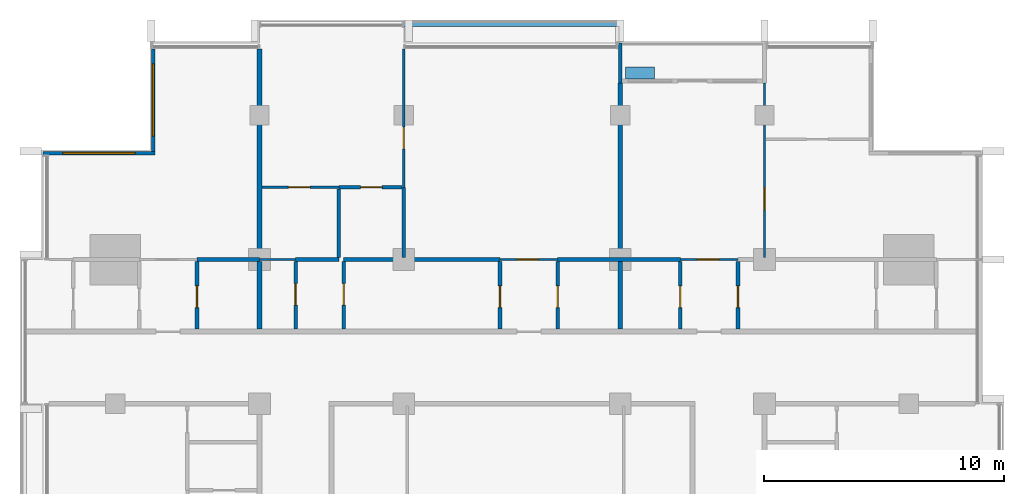
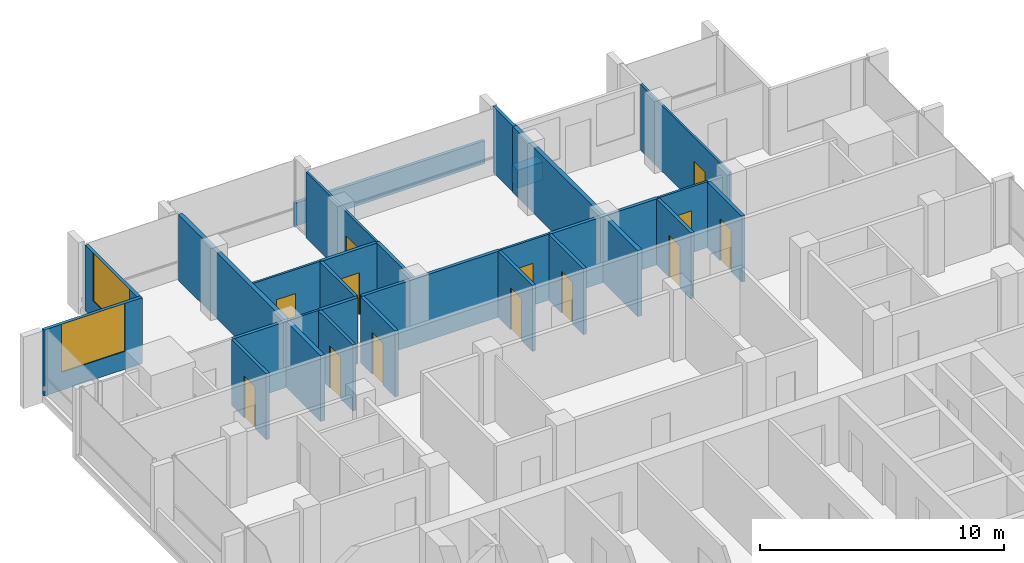
# One storey, part 10 of 16: 29 walls, 13 doors, 2 windows, 15 openings.
"""IFC4 building model written with IfcOpenShell, lengths in metres."""

from ifc_helpers import new_model, si_unit, direction, frame, frame_2d, origin, place, context, subcontext, project, spatial, rectangle, extrude, material, layer, layer_set, type_object, element, fill, save


model = new_model("IFC4")

# Units and contexts
model_context = context("Model", 3, precision=1e-05, world=origin(), true_north=direction((0.0, 1.0)))
body_context = subcontext(model_context, "Body", "Model", "MODEL_VIEW")
ifc_project = project(units=[si_unit("LENGTHUNIT", "METRE"), si_unit("AREAUNIT", "SQUARE_METRE"), si_unit("VOLUMEUNIT", "CUBIC_METRE"), si_unit("PLANEANGLEUNIT", "RADIAN"), si_unit("MASSUNIT", "GRAM", prefix="KILO")], contexts=[model_context])

# Site, building, storey
site_placement = place(None, origin())
site = spatial("IfcSite", under=ifc_project, at=site_placement, CompositionType="ELEMENT")
building_placement = place(site_placement, origin())
building = spatial("IfcBuilding", under=site, at=building_placement, Name="Finial Court Residences", CompositionType="ELEMENT")
storey_placement = place(building_placement, frame((0.0, 0.0, 219.5)))
storey = spatial("IfcBuildingStorey", under=building, at=storey_placement, Name="L55", CompositionType="ELEMENT", Elevation=219.5)

# Walls
ifc_material_1 = material(Name="Gypsum board")
ifc_layer_1 = layer(ifc_material_1, 0.02490234375)
ifc_material_2 = material(Name="Acoustic mineral wool in double frame")
ifc_layer_2 = layer(ifc_material_2, 0.14990234375)
ifc_layer_3 = layer(ifc_material_1, 0.02490234375)
ifc_layer_set_1 = layer_set([ifc_layer_1, ifc_layer_2, ifc_layer_3], Name="Acoustic party wall 200, 1 hour")
wall_type_1 = type_object("IfcWallType", Name="Acoustic party wall 200, 1 hour", PredefinedType="PARTITIONING", material=ifc_layer_set_1)
wall_1_placement = place(storey_placement, frame((-10.5, 4.60009765625, 0.0), z_axis=(0.0, 0.0, 1.0), x_axis=(0.0, 1.0, 0.0)))
element("IfcWall", 1, at=wall_1_placement, inside=storey, type_object=wall_type_1, Name="Partition L55-039", PredefinedType="PARTITIONING", context=body_context, shape_type="SweptSolid", body=[
    extrude(rectangle(XDim=2.824951171875, YDim=0.199951171875, at=frame_2d((1.41259765625, 0.0))), origin(), (0.0, 0.0, 1.0), 3.300048828125),
])
wall_2_placement = place(storey_placement, frame((-10.5, 7.574951171875, 0.0), z_axis=(0.0, 0.0, 1.0), x_axis=(0.0, 1.0, 0.0)))
element("IfcWall", 2, at=wall_2_placement, inside=storey, type_object=wall_type_1, Name="Partition L55-040", PredefinedType="PARTITIONING", context=body_context, shape_type="SweptSolid", body=[
    extrude(rectangle(XDim=8.6875, YDim=0.199951171875, at=frame_2d((4.34375, 0.0))), origin(), (0.0, 0.0, 1.0), 3.300048828125),
])
wall_3_placement = place(storey_placement, frame((4.5, 4.60009765625, 0.0), z_axis=(0.0, 0.0, 1.0), x_axis=(0.0, 1.0, 0.0)))
element("IfcWall", 3, at=wall_3_placement, inside=storey, type_object=wall_type_1, Name="Partition L55-050", PredefinedType="PARTITIONING", context=body_context, shape_type="SweptSolid", body=[
    extrude(rectangle(XDim=2.824951171875, YDim=0.199951171875, at=frame_2d((1.41259765625, 0.0))), origin(), (0.0, 0.0, 1.0), 3.300048828125),
])
wall_4_placement = place(storey_placement, frame((4.5, 7.574951171875, 0.0), z_axis=(0.0, 0.0, 1.0), x_axis=(0.0, 1.0, 0.0)))
element("IfcWall", 4, at=wall_4_placement, inside=storey, type_object=wall_type_1, Name="Partition L55-051", PredefinedType="PARTITIONING", context=body_context, shape_type="SweptSolid", body=[
    extrude(rectangle(XDim=7.275146484375, YDim=0.199951171875, at=frame_2d((3.6376953125, 0.0))), origin(), (0.0, 0.0, 1.0), 3.300048828125),
])
ifc_layer_4 = layer(ifc_material_1, 0.012451171875)
ifc_material_3 = material(Name="Mineral wool in light-gauge frame")
ifc_layer_5 = layer(ifc_material_3, 0.074951171875)
ifc_layer_6 = layer(ifc_material_1, 0.012451171875)
ifc_layer_set_2 = layer_set([ifc_layer_4, ifc_layer_5, ifc_layer_6], Name="Gypsum board partition 100")
wall_type_2 = type_object("IfcWallType", Name="Gypsum board partition 100", PredefinedType="PARTITIONING", material=ifc_layer_set_2)
wall_5_placement = place(storey_placement, frame((-10.5, 7.5, 0.0), z_axis=(0.0, 0.0, 1.0), x_axis=(1.0, 0.0, 0.0)))
element("IfcWall", 5, at=wall_5_placement, inside=storey, type_object=wall_type_2, Name="Partition L55-019", PredefinedType="PARTITIONING", context=body_context, shape_type="SweptSolid", body=[
    extrude(rectangle(XDim=1.5, YDim=0.10009765625, at=frame_2d((0.75, 0.0))), origin(), (0.0, 0.0, 1.0), 3.300048828125),
])

# Wall, opening, door
wall_6_placement = place(storey_placement, frame((-0.5, 7.5, 0.0), z_axis=(0.0, 0.0, 1.0), x_axis=(1.0, 0.0, 0.0)))
wall_6 = element("IfcWall", 6, at=wall_6_placement, inside=storey, type_object=wall_type_2, Name="Partition L55-020", PredefinedType="PARTITIONING", context=body_context, shape_type="SweptSolid", body=[
    extrude(rectangle(XDim=2.39990234375, YDim=0.10009765625, at=frame_2d((1.199951171875, 0.0))), origin(), (0.0, 0.0, 1.0), 3.300048828125),
])
opening_1_placement = place(wall_6_placement, frame((0.699951171875, 0.0, 0.0)))
opening_1 = element("IfcOpeningElement", 7, at=opening_1_placement, cuts=wall_6, Name="Opening L55-D020", PredefinedType="OPENING", context=body_context, shape_type="SweptSolid", body=[
    extrude(rectangle(XDim=0.89990234375, YDim=2.10009765625, at=frame_2d((0.449951171875, 1.050048828125))), frame((0.0, 0.06005859375, 0.0), z_axis=(0.0, -1.0, 0.0), x_axis=(1.0, 0.0, 0.0)), (0.0, 0.0, 1.0), 0.1201171875),
])
ifc_material_4 = material(Name="Timber door leaf in timber frame", Category="wood")
door_type = type_object("IfcDoorType", Name="Door set 900 x 2100", OperationType="SINGLE_SWING_LEFT", PredefinedType="DOOR", material=ifc_material_4)
door_1_placement = place(opening_1_placement, origin())
door_1 = element("IfcDoor", 8, at=door_1_placement, inside=storey, type_object=door_type, Name="Door L55-D020", OperationType="SINGLE_SWING_LEFT", OverallHeight=2.10009765625, OverallWidth=0.89990234375, PredefinedType="DOOR", context=body_context, shape_type="SweptSolid", body=[
    extrude(rectangle(XDim=0.89990234375, YDim=2.10009765625, at=frame_2d((0.449951171875, 1.050048828125))), frame((0.0, 0.02490234375, 0.0), z_axis=(0.0, -1.0, 0.0), x_axis=(1.0, 0.0, 0.0)), (0.0, 0.0, 1.0), 0.050048828125),
])
fill(opening_1, door_1)

wall_7_placement = place(storey_placement, frame((7.0, 7.5, 0.0), z_axis=(0.0, 0.0, 1.0), x_axis=(1.0, 0.0, 0.0)))
wall_7 = element("IfcWall", 9, at=wall_7_placement, inside=storey, type_object=wall_type_2, Name="Partition L55-021", PredefinedType="PARTITIONING", context=body_context, shape_type="SweptSolid", body=[
    extrude(rectangle(XDim=2.39990234375, YDim=0.10009765625, at=frame_2d((1.199951171875, 0.0))), origin(), (0.0, 0.0, 1.0), 3.300048828125),
])
opening_2_placement = place(wall_7_placement, frame((0.699951171875, 0.0, 0.0)))
opening_2 = element("IfcOpeningElement", 10, at=opening_2_placement, cuts=wall_7, Name="Opening L55-D021", PredefinedType="OPENING", context=body_context, shape_type="SweptSolid", body=[
    extrude(rectangle(XDim=0.89990234375, YDim=2.10009765625, at=frame_2d((0.449951171875, 1.050048828125))), frame((0.0, 0.06005859375, 0.0), z_axis=(0.0, -1.0, 0.0), x_axis=(1.0, 0.0, 0.0)), (0.0, 0.0, 1.0), 0.1201171875),
])
door_2_placement = place(opening_2_placement, origin())
door_2 = element("IfcDoor", 11, at=door_2_placement, inside=storey, type_object=door_type, Name="Door L55-D021", OperationType="SINGLE_SWING_LEFT", OverallHeight=2.10009765625, OverallWidth=0.89990234375, PredefinedType="DOOR", context=body_context, shape_type="SweptSolid", body=[
    extrude(rectangle(XDim=0.89990234375, YDim=2.10009765625, at=frame_2d((0.449951171875, 1.050048828125))), frame((0.0, 0.02490234375, 0.0), z_axis=(0.0, -1.0, 0.0), x_axis=(1.0, 0.0, 0.0)), (0.0, 0.0, 1.0), 0.050048828125),
])
fill(opening_2, door_2)

wall_8_placement = place(storey_placement, frame((-10.39990234375, 10.5, 0.0), z_axis=(0.0, 0.0, 1.0), x_axis=(1.0, 0.0, 0.0)))
wall_8 = element("IfcWall", 12, at=wall_8_placement, inside=storey, type_object=wall_type_2, Name="Partition L55-029", PredefinedType="PARTITIONING", context=body_context, shape_type="SweptSolid", body=[
    extrude(rectangle(XDim=3.199951171875, YDim=0.10009765625, at=frame_2d((1.60009765625, 0.0))), origin(), (0.0, 0.0, 1.0), 3.300048828125),
])
opening_3_placement = place(wall_8_placement, frame((1.10009765625, 0.0, 0.0)))
opening_3 = element("IfcOpeningElement", 13, at=opening_3_placement, cuts=wall_8, Name="Opening L55-D022", PredefinedType="OPENING", context=body_context, shape_type="SweptSolid", body=[
    extrude(rectangle(XDim=0.89990234375, YDim=2.10009765625, at=frame_2d((0.449951171875, 1.050048828125))), frame((0.0, 0.06005859375, 0.0), z_axis=(0.0, -1.0, 0.0), x_axis=(1.0, 0.0, 0.0)), (0.0, 0.0, 1.0), 0.1201171875),
])
door_3_placement = place(opening_3_placement, origin())
door_3 = element("IfcDoor", 14, at=door_3_placement, inside=storey, type_object=door_type, Name="Door L55-D022", OperationType="SINGLE_SWING_LEFT", OverallHeight=2.10009765625, OverallWidth=0.89990234375, PredefinedType="DOOR", context=body_context, shape_type="SweptSolid", body=[
    extrude(rectangle(XDim=0.89990234375, YDim=2.10009765625, at=frame_2d((0.449951171875, 1.050048828125))), frame((0.0, 0.02490234375, 0.0), z_axis=(0.0, -1.0, 0.0), x_axis=(1.0, 0.0, 0.0)), (0.0, 0.0, 1.0), 0.050048828125),
])
fill(opening_3, door_3)

wall_9_placement = place(storey_placement, frame((-4.5, 10.5, 0.0), z_axis=(0.0, 0.0, 1.0), x_axis=(0.0, 1.0, 0.0)))
wall_9 = element("IfcWall", 15, at=wall_9_placement, inside=storey, type_object=wall_type_2, Name="Partition L55-045", PredefinedType="PARTITIONING", context=body_context, shape_type="SweptSolid", body=[
    extrude(rectangle(XDim=5.762451171875, YDim=0.10009765625, at=frame_2d((2.88134765625, 0.0))), origin(), (0.0, 0.0, 1.0), 3.300048828125),
])
opening_4_placement = place(wall_9_placement, frame((1.60009765625, 0.0, 0.0)))
opening_4 = element("IfcOpeningElement", 16, at=opening_4_placement, cuts=wall_9, Name="Opening L55-D032", PredefinedType="OPENING", context=body_context, shape_type="SweptSolid", body=[
    extrude(rectangle(XDim=0.89990234375, YDim=2.10009765625, at=frame_2d((0.449951171875, 1.050048828125))), frame((0.0, 0.06005859375, 0.0), z_axis=(0.0, -1.0, 0.0), x_axis=(1.0, 0.0, 0.0)), (0.0, 0.0, 1.0), 0.1201171875),
])
door_4_placement = place(opening_4_placement, origin())
door_4 = element("IfcDoor", 17, at=door_4_placement, inside=storey, type_object=door_type, Name="Door L55-D032", OperationType="SINGLE_SWING_RIGHT", OverallHeight=2.10009765625, OverallWidth=0.89990234375, PredefinedType="DOOR", context=body_context, shape_type="SweptSolid", body=[
    extrude(rectangle(XDim=0.89990234375, YDim=2.10009765625, at=frame_2d((0.449951171875, 1.050048828125))), frame((0.0, 0.02490234375, 0.0), z_axis=(0.0, -1.0, 0.0), x_axis=(1.0, 0.0, 0.0)), (0.0, 0.0, 1.0), 0.050048828125),
])
fill(opening_4, door_4)

wall_10_placement = place(storey_placement, frame((10.5, 7.574951171875, 0.0), z_axis=(0.0, 0.0, 1.0), x_axis=(0.0, 1.0, 0.0)))
wall_10 = element("IfcWall", 18, at=wall_10_placement, inside=storey, type_object=wall_type_2, Name="Partition L55-057", PredefinedType="PARTITIONING", context=body_context, shape_type="SweptSolid", body=[
    extrude(rectangle(XDim=7.275146484375, YDim=0.10009765625, at=frame_2d((3.6376953125, 0.0))), origin(), (0.0, 0.0, 1.0), 3.300048828125),
])
opening_5_placement = place(wall_10_placement, frame((2.0, 0.0, 0.0)))
opening_5 = element("IfcOpeningElement", 19, at=opening_5_placement, cuts=wall_10, Name="Opening L55-D037", PredefinedType="OPENING", context=body_context, shape_type="SweptSolid", body=[
    extrude(rectangle(XDim=0.89990234375, YDim=2.10009765625, at=frame_2d((0.449951171875, 1.050048828125))), frame((0.0, 0.06005859375, 0.0), z_axis=(0.0, -1.0, 0.0), x_axis=(1.0, 0.0, 0.0)), (0.0, 0.0, 1.0), 0.1201171875),
])
door_5_placement = place(opening_5_placement, origin())
door_5 = element("IfcDoor", 20, at=door_5_placement, inside=storey, type_object=door_type, Name="Door L55-D037", OperationType="SINGLE_SWING_LEFT", OverallHeight=2.10009765625, OverallWidth=0.89990234375, PredefinedType="DOOR", context=body_context, shape_type="SweptSolid", body=[
    extrude(rectangle(XDim=0.89990234375, YDim=2.10009765625, at=frame_2d((0.449951171875, 1.050048828125))), frame((0.0, 0.02490234375, 0.0), z_axis=(0.0, -1.0, 0.0), x_axis=(1.0, 0.0, 0.0)), (0.0, 0.0, 1.0), 0.050048828125),
])
fill(opening_5, door_5)

# Walls
ifc_material_5 = material(Name="Moisture-resistant gypsum board")
ifc_layer_7 = layer(ifc_material_5, 0.012451171875)
ifc_layer_8 = layer(ifc_material_3, 0.125)
ifc_layer_9 = layer(ifc_material_5, 0.012451171875)
ifc_layer_set_3 = layer_set([ifc_layer_7, ifc_layer_8, ifc_layer_9], Name="Gypsum board wet-area partition 150")
wall_type_3 = type_object("IfcWallType", Name="Gypsum board wet-area partition 150", PredefinedType="PARTITIONING", material=ifc_layer_set_3)
wall_11_placement = place(storey_placement, frame((-13.10009765625, 7.5, 0.0), z_axis=(0.0, 0.0, 1.0), x_axis=(1.0, 0.0, 0.0)))
element("IfcWall", 21, at=wall_11_placement, inside=storey, type_object=wall_type_3, Name="Partition L55-024", PredefinedType="PARTITIONING", context=body_context, shape_type="SweptSolid", body=[
    extrude(rectangle(XDim=2.60009765625, YDim=0.14990234375, at=frame_2d((1.300048828125, 0.0))), origin(), (0.0, 0.0, 1.0), 3.300048828125),
])
wall_12_placement = place(storey_placement, frame((-9.0, 7.5, 0.0), z_axis=(0.0, 0.0, 1.0), x_axis=(1.0, 0.0, 0.0)))
element("IfcWall", 22, at=wall_12_placement, inside=storey, type_object=wall_type_3, Name="Partition L55-025", PredefinedType="PARTITIONING", context=body_context, shape_type="SweptSolid", body=[
    extrude(rectangle(XDim=1.800048828125, YDim=0.14990234375, at=frame_2d((0.89990234375, 0.0))), origin(), (0.0, 0.0, 1.0), 3.300048828125),
])
wall_13_placement = place(storey_placement, frame((-7.0, 7.5, 0.0), z_axis=(0.0, 0.0, 1.0), x_axis=(1.0, 0.0, 0.0)))
element("IfcWall", 23, at=wall_13_placement, inside=storey, type_object=wall_type_3, Name="Partition L55-026", PredefinedType="PARTITIONING", context=body_context, shape_type="SweptSolid", body=[
    extrude(rectangle(XDim=6.5, YDim=0.14990234375, at=frame_2d((3.25, 0.0))), origin(), (0.0, 0.0, 1.0), 3.300048828125),
])
wall_14_placement = place(storey_placement, frame((1.89990234375, 7.5, 0.0), z_axis=(0.0, 0.0, 1.0), x_axis=(1.0, 0.0, 0.0)))
element("IfcWall", 24, at=wall_14_placement, inside=storey, type_object=wall_type_3, Name="Partition L55-027", PredefinedType="PARTITIONING", context=body_context, shape_type="SweptSolid", body=[
    extrude(rectangle(XDim=5.10009765625, YDim=0.14990234375, at=frame_2d((2.550048828125, 0.0))), origin(), (0.0, 0.0, 1.0), 3.300048828125),
])

# Wall, opening, door
wall_15_placement = place(storey_placement, frame((-7.199951171875, 10.5, 0.0), z_axis=(0.0, 0.0, 1.0), x_axis=(1.0, 0.0, 0.0)))
wall_15 = element("IfcWall", 25, at=wall_15_placement, inside=storey, type_object=wall_type_3, Name="Partition L55-030", PredefinedType="PARTITIONING", context=body_context, shape_type="SweptSolid", body=[
    extrude(rectangle(XDim=2.625, YDim=0.14990234375, at=frame_2d((1.3125, 0.0))), origin(), (0.0, 0.0, 1.0), 3.300048828125),
])
opening_6_placement = place(wall_15_placement, frame((0.89990234375, 0.0, 0.0)))
opening_6 = element("IfcOpeningElement", 26, at=opening_6_placement, cuts=wall_15, Name="Opening L55-D023", PredefinedType="OPENING", context=body_context, shape_type="SweptSolid", body=[
    extrude(rectangle(XDim=0.89990234375, YDim=2.10009765625, at=frame_2d((0.449951171875, 1.050048828125))), frame((0.0, 0.0849609375, 0.0), z_axis=(0.0, -1.0, 0.0), x_axis=(1.0, 0.0, 0.0)), (0.0, 0.0, 1.0), 0.169921875),
])
door_6_placement = place(opening_6_placement, origin())
door_6 = element("IfcDoor", 27, at=door_6_placement, inside=storey, type_object=door_type, Name="Door L55-D023", OperationType="SINGLE_SWING_LEFT", OverallHeight=2.10009765625, OverallWidth=0.89990234375, PredefinedType="DOOR", context=body_context, shape_type="SweptSolid", body=[
    extrude(rectangle(XDim=0.89990234375, YDim=2.10009765625, at=frame_2d((0.449951171875, 1.050048828125))), frame((0.0, 0.02490234375, 0.0), z_axis=(0.0, -1.0, 0.0), x_axis=(1.0, 0.0, 0.0)), (0.0, 0.0, 1.0), 0.050048828125),
])
fill(opening_6, door_6)

wall_16_placement = place(storey_placement, frame((-13.10009765625, 4.60009765625, 0.0), z_axis=(0.0, 0.0, 1.0), x_axis=(0.0, 1.0, 0.0)))
wall_16 = element("IfcWall", 28, at=wall_16_placement, inside=storey, type_object=wall_type_3, Name="Partition L55-037", PredefinedType="PARTITIONING", context=body_context, shape_type="SweptSolid", body=[
    extrude(rectangle(XDim=2.824951171875, YDim=0.14990234375, at=frame_2d((1.41259765625, 0.0))), origin(), (0.0, 0.0, 1.0), 3.300048828125),
])
opening_7_placement = place(wall_16_placement, frame((0.89990234375, 0.0, 0.0)))
opening_7 = element("IfcOpeningElement", 29, at=opening_7_placement, cuts=wall_16, Name="Opening L55-D029", PredefinedType="OPENING", context=body_context, shape_type="SweptSolid", body=[
    extrude(rectangle(XDim=0.89990234375, YDim=2.10009765625, at=frame_2d((0.449951171875, 1.050048828125))), frame((0.0, 0.0849609375, 0.0), z_axis=(0.0, -1.0, 0.0), x_axis=(1.0, 0.0, 0.0)), (0.0, 0.0, 1.0), 0.169921875),
])
door_7_placement = place(opening_7_placement, origin())
door_7 = element("IfcDoor", 30, at=door_7_placement, inside=storey, type_object=door_type, Name="Door L55-D029", OperationType="SINGLE_SWING_RIGHT", OverallHeight=2.10009765625, OverallWidth=0.89990234375, PredefinedType="DOOR", context=body_context, shape_type="SweptSolid", body=[
    extrude(rectangle(XDim=0.89990234375, YDim=2.10009765625, at=frame_2d((0.449951171875, 1.050048828125))), frame((0.0, 0.02490234375, 0.0), z_axis=(0.0, -1.0, 0.0), x_axis=(1.0, 0.0, 0.0)), (0.0, 0.0, 1.0), 0.050048828125),
])
fill(opening_7, door_7)

wall_17_placement = place(storey_placement, frame((-9.0, 4.60009765625, 0.0), z_axis=(0.0, 0.0, 1.0), x_axis=(0.0, 1.0, 0.0)))
wall_17 = element("IfcWall", 31, at=wall_17_placement, inside=storey, type_object=wall_type_3, Name="Partition L55-041", PredefinedType="PARTITIONING", context=body_context, shape_type="SweptSolid", body=[
    extrude(rectangle(XDim=2.824951171875, YDim=0.14990234375, at=frame_2d((1.41259765625, 0.0))), origin(), (0.0, 0.0, 1.0), 3.300048828125),
])
opening_8_placement = place(wall_17_placement, frame((1.0, 0.0, 0.0)))
opening_8 = element("IfcOpeningElement", 32, at=opening_8_placement, cuts=wall_17, Name="Opening L55-D030", PredefinedType="OPENING", context=body_context, shape_type="SweptSolid", body=[
    extrude(rectangle(XDim=0.89990234375, YDim=2.10009765625, at=frame_2d((0.449951171875, 1.050048828125))), frame((0.0, 0.0849609375, 0.0), z_axis=(0.0, -1.0, 0.0), x_axis=(1.0, 0.0, 0.0)), (0.0, 0.0, 1.0), 0.169921875),
])
door_8_placement = place(opening_8_placement, origin())
door_8 = element("IfcDoor", 33, at=door_8_placement, inside=storey, type_object=door_type, Name="Door L55-D030", OperationType="SINGLE_SWING_RIGHT", OverallHeight=2.10009765625, OverallWidth=0.89990234375, PredefinedType="DOOR", context=body_context, shape_type="SweptSolid", body=[
    extrude(rectangle(XDim=0.89990234375, YDim=2.10009765625, at=frame_2d((0.449951171875, 1.050048828125))), frame((0.0, 0.02490234375, 0.0), z_axis=(0.0, -1.0, 0.0), x_axis=(1.0, 0.0, 0.0)), (0.0, 0.0, 1.0), 0.050048828125),
])
fill(opening_8, door_8)

# Wall
wall_18_placement = place(storey_placement, frame((-7.199951171875, 7.574951171875, 0.0), z_axis=(0.0, 0.0, 1.0), x_axis=(0.0, 1.0, 0.0)))
element("IfcWall", 34, at=wall_18_placement, inside=storey, type_object=wall_type_3, Name="Partition L55-043", PredefinedType="PARTITIONING", context=body_context, shape_type="SweptSolid", body=[
    extrude(rectangle(XDim=2.85009765625, YDim=0.14990234375, at=frame_2d((1.425048828125, 0.0))), origin(), (0.0, 0.0, 1.0), 3.300048828125),
])

# Wall, opening, door
wall_19_placement = place(storey_placement, frame((-7.0, 4.60009765625, 0.0), z_axis=(0.0, 0.0, 1.0), x_axis=(0.0, 1.0, 0.0)))
wall_19 = element("IfcWall", 35, at=wall_19_placement, inside=storey, type_object=wall_type_3, Name="Partition L55-044", PredefinedType="PARTITIONING", context=body_context, shape_type="SweptSolid", body=[
    extrude(rectangle(XDim=2.824951171875, YDim=0.14990234375, at=frame_2d((1.41259765625, 0.0))), origin(), (0.0, 0.0, 1.0), 3.300048828125),
])
opening_9_placement = place(wall_19_placement, frame((1.0, 0.0, 0.0)))
opening_9 = element("IfcOpeningElement", 36, at=opening_9_placement, cuts=wall_19, Name="Opening L55-D031", PredefinedType="OPENING", context=body_context, shape_type="SweptSolid", body=[
    extrude(rectangle(XDim=0.89990234375, YDim=2.10009765625, at=frame_2d((0.449951171875, 1.050048828125))), frame((0.0, 0.0849609375, 0.0), z_axis=(0.0, -1.0, 0.0), x_axis=(1.0, 0.0, 0.0)), (0.0, 0.0, 1.0), 0.169921875),
])
door_9_placement = place(opening_9_placement, origin())
door_9 = element("IfcDoor", 37, at=door_9_placement, inside=storey, type_object=door_type, Name="Door L55-D031", OperationType="SINGLE_SWING_RIGHT", OverallHeight=2.10009765625, OverallWidth=0.89990234375, PredefinedType="DOOR", context=body_context, shape_type="SweptSolid", body=[
    extrude(rectangle(XDim=0.89990234375, YDim=2.10009765625, at=frame_2d((0.449951171875, 1.050048828125))), frame((0.0, 0.02490234375, 0.0), z_axis=(0.0, -1.0, 0.0), x_axis=(1.0, 0.0, 0.0)), (0.0, 0.0, 1.0), 0.050048828125),
])
fill(opening_9, door_9)

# Wall
wall_20_placement = place(storey_placement, frame((-4.5, 7.574951171875, 0.0), z_axis=(0.0, 0.0, 1.0), x_axis=(0.0, 1.0, 0.0)))
element("IfcWall", 38, at=wall_20_placement, inside=storey, type_object=wall_type_3, Name="Partition L55-046", PredefinedType="PARTITIONING", context=body_context, shape_type="SweptSolid", body=[
    extrude(rectangle(XDim=2.925048828125, YDim=0.14990234375, at=frame_2d((1.46240234375, 0.0))), origin(), (0.0, 0.0, 1.0), 3.300048828125),
])

# Wall, opening, door
wall_21_placement = place(storey_placement, frame((-0.5, 4.60009765625, 0.0), z_axis=(0.0, 0.0, 1.0), x_axis=(0.0, 1.0, 0.0)))
wall_21 = element("IfcWall", 39, at=wall_21_placement, inside=storey, type_object=wall_type_3, Name="Partition L55-048", PredefinedType="PARTITIONING", context=body_context, shape_type="SweptSolid", body=[
    extrude(rectangle(XDim=2.824951171875, YDim=0.14990234375, at=frame_2d((1.41259765625, 0.0))), origin(), (0.0, 0.0, 1.0), 3.300048828125),
])
opening_10_placement = place(wall_21_placement, frame((0.89990234375, 0.0, 0.0)))
opening_10 = element("IfcOpeningElement", 40, at=opening_10_placement, cuts=wall_21, Name="Opening L55-D033", PredefinedType="OPENING", context=body_context, shape_type="SweptSolid", body=[
    extrude(rectangle(XDim=0.89990234375, YDim=2.10009765625, at=frame_2d((0.449951171875, 1.050048828125))), frame((0.0, 0.0849609375, 0.0), z_axis=(0.0, -1.0, 0.0), x_axis=(1.0, 0.0, 0.0)), (0.0, 0.0, 1.0), 0.169921875),
])
door_10_placement = place(opening_10_placement, origin())
door_10 = element("IfcDoor", 41, at=door_10_placement, inside=storey, type_object=door_type, Name="Door L55-D033", OperationType="SINGLE_SWING_RIGHT", OverallHeight=2.10009765625, OverallWidth=0.89990234375, PredefinedType="DOOR", context=body_context, shape_type="SweptSolid", body=[
    extrude(rectangle(XDim=0.89990234375, YDim=2.10009765625, at=frame_2d((0.449951171875, 1.050048828125))), frame((0.0, 0.02490234375, 0.0), z_axis=(0.0, -1.0, 0.0), x_axis=(1.0, 0.0, 0.0)), (0.0, 0.0, 1.0), 0.050048828125),
])
fill(opening_10, door_10)

wall_22_placement = place(storey_placement, frame((1.89990234375, 4.60009765625, 0.0), z_axis=(0.0, 0.0, 1.0), x_axis=(0.0, 1.0, 0.0)))
wall_22 = element("IfcWall", 42, at=wall_22_placement, inside=storey, type_object=wall_type_3, Name="Partition L55-049", PredefinedType="PARTITIONING", context=body_context, shape_type="SweptSolid", body=[
    extrude(rectangle(XDim=2.824951171875, YDim=0.14990234375, at=frame_2d((1.41259765625, 0.0))), origin(), (0.0, 0.0, 1.0), 3.300048828125),
])
opening_11_placement = place(wall_22_placement, frame((0.89990234375, 0.0, 0.0)))
opening_11 = element("IfcOpeningElement", 43, at=opening_11_placement, cuts=wall_22, Name="Opening L55-D034", PredefinedType="OPENING", context=body_context, shape_type="SweptSolid", body=[
    extrude(rectangle(XDim=0.89990234375, YDim=2.10009765625, at=frame_2d((0.449951171875, 1.050048828125))), frame((0.0, 0.0849609375, 0.0), z_axis=(0.0, -1.0, 0.0), x_axis=(1.0, 0.0, 0.0)), (0.0, 0.0, 1.0), 0.169921875),
])
door_11_placement = place(opening_11_placement, origin())
door_11 = element("IfcDoor", 44, at=door_11_placement, inside=storey, type_object=door_type, Name="Door L55-D034", OperationType="SINGLE_SWING_LEFT", OverallHeight=2.10009765625, OverallWidth=0.89990234375, PredefinedType="DOOR", context=body_context, shape_type="SweptSolid", body=[
    extrude(rectangle(XDim=0.89990234375, YDim=2.10009765625, at=frame_2d((0.449951171875, 1.050048828125))), frame((0.0, 0.02490234375, 0.0), z_axis=(0.0, -1.0, 0.0), x_axis=(1.0, 0.0, 0.0)), (0.0, 0.0, 1.0), 0.050048828125),
])
fill(opening_11, door_11)

wall_23_placement = place(storey_placement, frame((7.0, 4.60009765625, 0.0), z_axis=(0.0, 0.0, 1.0), x_axis=(0.0, 1.0, 0.0)))
wall_23 = element("IfcWall", 45, at=wall_23_placement, inside=storey, type_object=wall_type_3, Name="Partition L55-053", PredefinedType="PARTITIONING", context=body_context, shape_type="SweptSolid", body=[
    extrude(rectangle(XDim=2.824951171875, YDim=0.14990234375, at=frame_2d((1.41259765625, 0.0))), origin(), (0.0, 0.0, 1.0), 3.300048828125),
])
opening_12_placement = place(wall_23_placement, frame((0.89990234375, 0.0, 0.0)))
opening_12 = element("IfcOpeningElement", 46, at=opening_12_placement, cuts=wall_23, Name="Opening L55-D035", PredefinedType="OPENING", context=body_context, shape_type="SweptSolid", body=[
    extrude(rectangle(XDim=0.89990234375, YDim=2.10009765625, at=frame_2d((0.449951171875, 1.050048828125))), frame((0.0, 0.0849609375, 0.0), z_axis=(0.0, -1.0, 0.0), x_axis=(1.0, 0.0, 0.0)), (0.0, 0.0, 1.0), 0.169921875),
])
door_12_placement = place(opening_12_placement, origin())
door_12 = element("IfcDoor", 47, at=door_12_placement, inside=storey, type_object=door_type, Name="Door L55-D035", OperationType="SINGLE_SWING_LEFT", OverallHeight=2.10009765625, OverallWidth=0.89990234375, PredefinedType="DOOR", context=body_context, shape_type="SweptSolid", body=[
    extrude(rectangle(XDim=0.89990234375, YDim=2.10009765625, at=frame_2d((0.449951171875, 1.050048828125))), frame((0.0, 0.02490234375, 0.0), z_axis=(0.0, -1.0, 0.0), x_axis=(1.0, 0.0, 0.0)), (0.0, 0.0, 1.0), 0.050048828125),
])
fill(opening_12, door_12)

wall_24_placement = place(storey_placement, frame((9.39990234375, 4.60009765625, 0.0), z_axis=(0.0, 0.0, 1.0), x_axis=(0.0, 1.0, 0.0)))
wall_24 = element("IfcWall", 48, at=wall_24_placement, inside=storey, type_object=wall_type_3, Name="Partition L55-055", PredefinedType="PARTITIONING", context=body_context, shape_type="SweptSolid", body=[
    extrude(rectangle(XDim=2.824951171875, YDim=0.14990234375, at=frame_2d((1.41259765625, 0.0))), origin(), (0.0, 0.0, 1.0), 3.300048828125),
])
opening_13_placement = place(wall_24_placement, frame((0.89990234375, 0.0, 0.0)))
opening_13 = element("IfcOpeningElement", 49, at=opening_13_placement, cuts=wall_24, Name="Opening L55-D036", PredefinedType="OPENING", context=body_context, shape_type="SweptSolid", body=[
    extrude(rectangle(XDim=0.89990234375, YDim=2.10009765625, at=frame_2d((0.449951171875, 1.050048828125))), frame((0.0, 0.0849609375, 0.0), z_axis=(0.0, -1.0, 0.0), x_axis=(1.0, 0.0, 0.0)), (0.0, 0.0, 1.0), 0.169921875),
])
door_13_placement = place(opening_13_placement, origin())
door_13 = element("IfcDoor", 50, at=door_13_placement, inside=storey, type_object=door_type, Name="Door L55-D036", OperationType="SINGLE_SWING_RIGHT", OverallHeight=2.10009765625, OverallWidth=0.89990234375, PredefinedType="DOOR", context=body_context, shape_type="SweptSolid", body=[
    extrude(rectangle(XDim=0.89990234375, YDim=2.10009765625, at=frame_2d((0.449951171875, 1.050048828125))), frame((0.0, 0.02490234375, 0.0), z_axis=(0.0, -1.0, 0.0), x_axis=(1.0, 0.0, 0.0)), (0.0, 0.0, 1.0), 0.050048828125),
])
fill(opening_13, door_13)

# Wall
ifc_material_6 = material(Name="Concrete C35/45", Category="concrete")
ifc_layer_10 = layer(ifc_material_6, 0.14990234375)
ifc_layer_set_4 = layer_set([ifc_layer_10], Name="Ledge parapet, Concrete C35/45 150")
wall_type_4 = type_object("IfcWallType", Name="Ledge parapet, Concrete C35/45 150", PredefinedType="PARAPET", material=ifc_layer_set_4)
wall_25_placement = place(storey_placement, frame((-4.552490234375, 17.27490234375, 0.0), z_axis=(0.0, 0.0, 1.0), x_axis=(1.0, 0.0, 0.0)))
element("IfcWall", 51, at=wall_25_placement, inside=storey, type_object=wall_type_4, Name="E-L55-LED2-P1", PredefinedType="PARAPET", context=body_context, shape_type="SweptSolid", body=[
    extrude(rectangle(XDim=9.00244140625, YDim=0.14990234375, at=frame_2d((4.501220703125, 0.0))), origin(), (0.0, 0.0, 1.0), 1.14990234375),
])

# Wall, opening, window
ifc_material_7 = material(Name="Natural limestone", Category="masonry")
ifc_layer_11 = layer(ifc_material_7, 0.14990234375)
ifc_layer_set_5 = layer_set([ifc_layer_11], Name="Limestone clad wall 150")
wall_type_5 = type_object("IfcWallType", Name="Limestone clad wall 150", PredefinedType="SOLIDWALL", material=ifc_layer_set_5)
wall_26_placement = place(storey_placement, frame((-14.925048828125, 12.0, 0.0), z_axis=(0.0, 0.0, 1.0), x_axis=(0.0, 1.0, 0.0)))
wall_26 = element("IfcWall", 52, at=wall_26_placement, inside=storey, type_object=wall_type_5, Name="E-L55-NWW17", PredefinedType="SOLIDWALL", context=body_context, shape_type="SweptSolid", body=[
    extrude(rectangle(XDim=4.262451171875, YDim=0.14990234375, at=frame_2d((2.13134765625, 0.0))), origin(), (0.0, 0.0, 1.0), 3.300048828125),
])
opening_14_placement = place(wall_26_placement, frame((0.631103515625, 0.0, 0.89990234375)))
opening_14 = element("IfcOpeningElement", 53, at=opening_14_placement, cuts=wall_26, Name="Opening WE55-05", PredefinedType="OPENING", context=body_context, shape_type="SweptSolid", body=[
    extrude(rectangle(XDim=3.0, YDim=2.39990234375, at=frame_2d((1.5, 1.199951171875))), frame((0.0, 0.0849609375, 0.0), z_axis=(0.0, -1.0, 0.0), x_axis=(1.0, 0.0, 0.0)), (0.0, 0.0, 1.0), 0.169921875),
])
ifc_material_8 = material(Name="Clear low-e glass", Category="glass")
window_type = type_object("IfcWindowType", Name="Corner window 3000 x 2400", PartitioningType="SINGLE_PANEL", PredefinedType="WINDOW", material=ifc_material_8)
window_1_placement = place(opening_14_placement, origin())
window_1 = element("IfcWindow", 54, at=window_1_placement, inside=storey, type_object=window_type, Name="E-L55-NWW17-W1", OverallHeight=2.39990234375, OverallWidth=3.0, PartitioningType="SINGLE_PANEL", PredefinedType="WINDOW", context=body_context, shape_type="SweptSolid", body=[
    extrude(rectangle(XDim=3.0, YDim=2.39990234375, at=frame_2d((1.5, 1.199951171875))), frame((0.0, 0.030029296875, 0.0), z_axis=(0.0, -1.0, 0.0), x_axis=(1.0, 0.0, 0.0)), (0.0, 0.0, 1.0), 0.06005859375),
])
fill(opening_14, window_1)

wall_27_placement = place(storey_placement, frame((-19.5, 11.925048828125, 0.0), z_axis=(0.0, 0.0, 1.0), x_axis=(1.0, 0.0, 0.0)))
wall_27 = element("IfcWall", 55, at=wall_27_placement, inside=storey, type_object=wall_type_5, Name="E-L55-NWN18", PredefinedType="SOLIDWALL", context=body_context, shape_type="SweptSolid", body=[
    extrude(rectangle(XDim=4.64990234375, YDim=0.14990234375, at=frame_2d((2.324951171875, 0.0))), origin(), (0.0, 0.0, 1.0), 3.300048828125),
])
opening_15_placement = place(wall_27_placement, frame((0.824951171875, 0.0, 0.89990234375)))
opening_15 = element("IfcOpeningElement", 56, at=opening_15_placement, cuts=wall_27, Name="Opening WE55-06", PredefinedType="OPENING", context=body_context, shape_type="SweptSolid", body=[
    extrude(rectangle(XDim=3.0, YDim=2.39990234375, at=frame_2d((1.5, 1.199951171875))), frame((0.0, 0.0849609375, 0.0), z_axis=(0.0, -1.0, 0.0), x_axis=(1.0, 0.0, 0.0)), (0.0, 0.0, 1.0), 0.169921875),
])
window_2_placement = place(opening_15_placement, origin())
window_2 = element("IfcWindow", 57, at=window_2_placement, inside=storey, type_object=window_type, Name="E-L55-NWN18-W1", OverallHeight=2.39990234375, OverallWidth=3.0, PartitioningType="SINGLE_PANEL", PredefinedType="WINDOW", context=body_context, shape_type="SweptSolid", body=[
    extrude(rectangle(XDim=3.0, YDim=2.39990234375, at=frame_2d((1.5, 1.199951171875))), frame((0.0, 0.030029296875, 0.0), z_axis=(0.0, -1.0, 0.0), x_axis=(1.0, 0.0, 0.0)), (0.0, 0.0, 1.0), 0.06005859375),
])
fill(opening_15, window_2)

# Walls
wall_28_placement = place(storey_placement, frame((4.5, 14.85009765625, 0.0), z_axis=(0.0, 0.0, 1.0), x_axis=(0.0, 1.0, 0.0)))
element("IfcWall", 58, at=wall_28_placement, inside=storey, type_object=wall_type_5, Name="E-L55-BALN4-P1", PredefinedType="SOLIDWALL", context=body_context, shape_type="SweptSolid", body=[
    extrude(rectangle(XDim=1.64990234375, YDim=0.14990234375, at=frame_2d((0.824951171875, 0.0))), origin(), (0.0, 0.0, 1.0), 3.300048828125),
])
ifc_material_9 = material(Name="Concrete C40/50", Category="concrete")
ifc_layer_12 = layer(ifc_material_9, 0.10009765625)
ifc_material_10 = material(Name="Planting soil", Category="soil")
ifc_layer_13 = layer(ifc_material_10, 0.300048828125)
ifc_layer_14 = layer(ifc_material_9, 0.10009765625)
ifc_layer_set_6 = layer_set([ifc_layer_12, ifc_layer_13, ifc_layer_14], Name="Planter wall, balcony")
wall_type_6 = type_object("IfcWallType", Name="Planter wall, balcony", PredefinedType="USERDEFINED", material=ifc_layer_set_6)
wall_29_placement = place(storey_placement, frame((4.72509765625, 15.25, 0.0), z_axis=(0.0, 0.0, 1.0), x_axis=(1.0, 0.0, 0.0)))
element("IfcWall", 59, at=wall_29_placement, inside=storey, type_object=wall_type_6, Name="E-L55-BALN4-PL", ObjectType="PLANTER", PredefinedType="USERDEFINED", context=body_context, shape_type="SweptSolid", body=[
    extrude(rectangle(XDim=1.199951171875, YDim=0.5, at=frame_2d((0.60009765625, 0.0))), origin(), (0.0, 0.0, 1.0), 0.89990234375),
])

save(model, "model.ifc")
